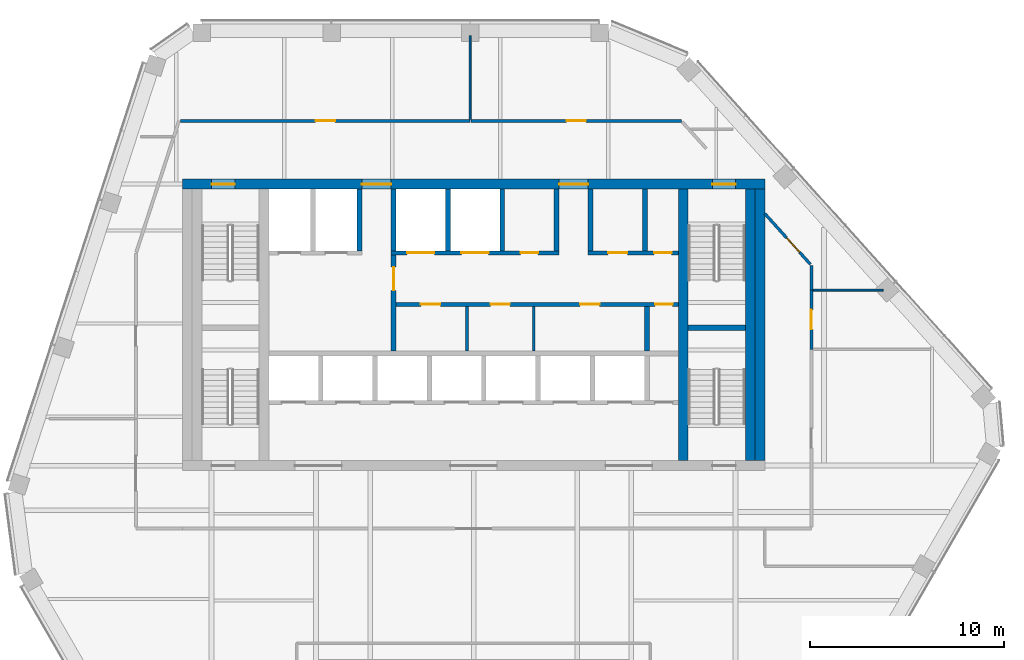
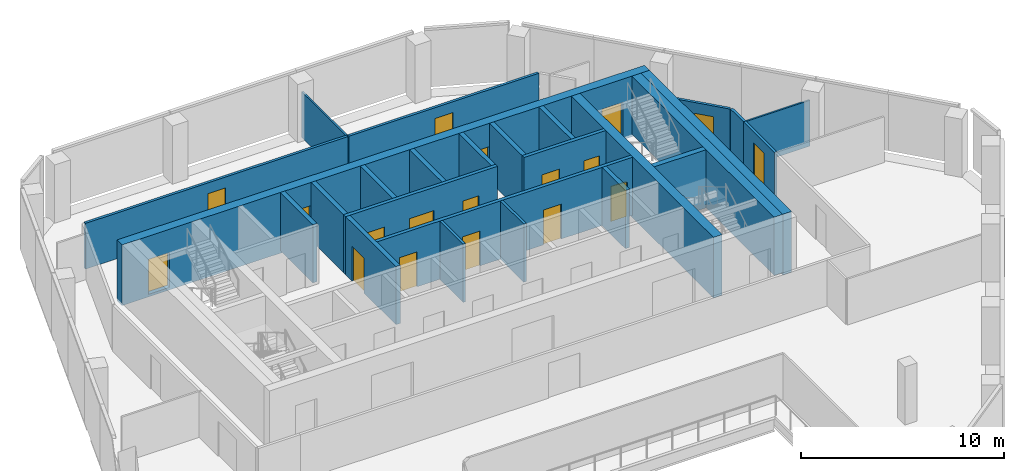
# One storey, part 9 of 15: 26 walls, 18 doors, 18 openings.
"""IFC4 building model written with IfcOpenShell, lengths in metres."""

from ifc_helpers import new_model, si_unit, direction, frame, frame_2d, origin, place, context, subcontext, project, spatial, rectangle, extrude, material, layer, layer_set, type_object, element, fill, save


model = new_model("IFC4")

# Units and contexts
model_context = context("Model", 3, precision=1e-05, world=origin(), true_north=direction((0.0, 1.0)))
body_context = subcontext(model_context, "Body", "Model", "MODEL_VIEW")
ifc_project = project(units=[si_unit("LENGTHUNIT", "METRE"), si_unit("AREAUNIT", "SQUARE_METRE"), si_unit("VOLUMEUNIT", "CUBIC_METRE"), si_unit("PLANEANGLEUNIT", "RADIAN"), si_unit("MASSUNIT", "GRAM", prefix="KILO")], contexts=[model_context])

# Site, building, storey
site_placement = place(None, origin())
site = spatial("IfcSite", under=ifc_project, at=site_placement, CompositionType="ELEMENT")
building_placement = place(site_placement, origin())
building = spatial("IfcBuilding", under=site, at=building_placement, Name="Isthmus Gate Tower", CompositionType="ELEMENT")
storey_placement = place(building_placement, frame((0.0, 0.0, 268.25)))
storey = spatial("IfcBuildingStorey", under=building, at=storey_placement, Name="L68", CompositionType="ELEMENT", Elevation=268.25)

# Wall
ifc_material_1 = material(Name="Gypsum board on steel studs, fire-rated", Category="steel")
ifc_layer_1 = layer(ifc_material_1, 0.14990234375)
ifc_layer_set_1 = layer_set([ifc_layer_1], Name="CORRIDOR WALL 150 60 MIN")
wall_type_1 = type_object("IfcWallType", Name="CORRIDOR WALL 150 60 MIN", PredefinedType="PARTITIONING", material=ifc_layer_set_1)
wall_1_placement = place(storey_placement, frame((17.39990234375, 10.56103515625, 0.0), z_axis=(0.0, 0.0, 1.0), x_axis=(0.0, -1.0, 0.0)))
element("IfcWall", 1, at=wall_1_placement, inside=storey, type_object=wall_type_1, Name="L68 Corridor Wall 150 60 Min", PredefinedType="PARTITIONING", context=body_context, shape_type="SweptSolid", body=[
    extrude(rectangle(XDim=1.27099609375, YDim=0.14990234375, at=frame_2d((0.635498046875, 0.0))), origin(), (0.0, 0.0, 1.0), 2.750732421875),
])

# Wall, opening, door
wall_2_placement = place(storey_placement, frame((17.39990234375, 9.2900390625, 0.0), z_axis=(0.0, 0.0, 1.0), x_axis=(0.0, -1.0, 0.0)))
wall_2 = element("IfcWall", 2, at=wall_2_placement, inside=storey, type_object=wall_type_1, Name="L68 Corridor Wall 150 60 Min", PredefinedType="PARTITIONING", context=body_context, shape_type="SweptSolid", body=[
    extrude(rectangle(XDim=3.052978515625, YDim=0.14990234375, at=frame_2d((1.5263671875, 0.0))), origin(), (0.0, 0.0, 1.0), 2.750732421875),
])
opening_1_placement = place(wall_2_placement, frame((1.026611328125, 0.0, 0.0)))
opening_1 = element("IfcOpeningElement", 3, at=opening_1_placement, cuts=wall_2, Name="Opening DT-T6A-05", PredefinedType="OPENING", context=body_context, shape_type="SweptSolid", body=[
    extrude(rectangle(XDim=1.0, YDim=2.10009765625, at=frame_2d((0.5, 1.050048828125))), frame((0.0, 0.0849609375, 0.0), z_axis=(0.0, -1.0, 0.0), x_axis=(1.0, 0.0, 0.0)), (0.0, 0.0, 1.0), 0.169921875),
])
ifc_material_2 = material(Name="Solid core timber door leaf, fire-rated", Category="wood")
door_type_1 = type_object("IfcDoorType", Name="FIRE DOOR ROOM 1000 X 2100 60 MIN", OperationType="SINGLE_SWING_LEFT", PredefinedType="DOOR", material=ifc_material_2)
door_1_placement = place(opening_1_placement, origin())
door_1 = element("IfcDoor", 4, at=door_1_placement, inside=storey, type_object=door_type_1, Name="L68 room door", OperationType="SINGLE_SWING_RIGHT", OverallHeight=2.10009765625, OverallWidth=1.0, PredefinedType="DOOR", context=body_context, shape_type="SweptSolid", body=[
    extrude(rectangle(XDim=1.0, YDim=2.10009765625, at=frame_2d((0.5, 1.050048828125))), frame((0.0, 0.02490234375, 0.0), z_axis=(0.0, -1.0, 0.0), x_axis=(1.0, 0.0, 0.0)), (0.0, 0.0, 1.0), 0.050048828125),
])
fill(opening_1, door_1)

wall_3_placement = place(storey_placement, frame((-15.10302734375, 18.0, 0.0), z_axis=(0.0, 0.0, 1.0), x_axis=(1.0, 0.0, 0.0)))
wall_3 = element("IfcWall", 5, at=wall_3_placement, inside=storey, type_object=wall_type_1, Name="L68 Corridor Wall 150 60 Min", PredefinedType="PARTITIONING", context=body_context, shape_type="SweptSolid", body=[
    extrude(rectangle(XDim=14.927978515625, YDim=0.14990234375, at=frame_2d((7.4638671875, 0.0))), origin(), (0.0, 0.0, 1.0), 2.750732421875),
])
opening_2_placement = place(wall_3_placement, frame((6.964111328125, 0.0, 0.0)))
opening_2 = element("IfcOpeningElement", 6, at=opening_2_placement, cuts=wall_3, Name="Opening DT-T6A-01", PredefinedType="OPENING", context=body_context, shape_type="SweptSolid", body=[
    extrude(rectangle(XDim=1.0, YDim=2.10009765625, at=frame_2d((0.5, 1.050048828125))), frame((0.0, 0.0849609375, 0.0), z_axis=(0.0, -1.0, 0.0), x_axis=(1.0, 0.0, 0.0)), (0.0, 0.0, 1.0), 0.169921875),
])
door_2_placement = place(opening_2_placement, origin())
door_2 = element("IfcDoor", 7, at=door_2_placement, inside=storey, type_object=door_type_1, Name="L68 room door", OperationType="SINGLE_SWING_RIGHT", OverallHeight=2.10009765625, OverallWidth=1.0, PredefinedType="DOOR", context=body_context, shape_type="SweptSolid", body=[
    extrude(rectangle(XDim=1.0, YDim=2.10009765625, at=frame_2d((0.5, 1.050048828125))), frame((0.0, 0.02490234375, 0.0), z_axis=(0.0, -1.0, 0.0), x_axis=(1.0, 0.0, 0.0)), (0.0, 0.0, 1.0), 0.050048828125),
])
fill(opening_2, door_2)

wall_4_placement = place(storey_placement, frame((-0.125, 18.0, 0.0), z_axis=(0.0, 0.0, 1.0), x_axis=(1.0, 0.0, 0.0)))
wall_4 = element("IfcWall", 8, at=wall_4_placement, inside=storey, type_object=wall_type_1, Name="L68 Corridor Wall 150 60 Min", PredefinedType="PARTITIONING", context=body_context, shape_type="SweptSolid", body=[
    extrude(rectangle(XDim=10.826904296875, YDim=0.14990234375, at=frame_2d((5.41357421875, 0.0))), origin(), (0.0, 0.0, 1.0), 2.750732421875),
])
opening_3_placement = place(wall_4_placement, frame((4.91357421875, 0.0, 0.0)))
opening_3 = element("IfcOpeningElement", 9, at=opening_3_placement, cuts=wall_4, Name="Opening DT-T6A-02", PredefinedType="OPENING", context=body_context, shape_type="SweptSolid", body=[
    extrude(rectangle(XDim=1.0, YDim=2.10009765625, at=frame_2d((0.5, 1.050048828125))), frame((0.0, 0.0849609375, 0.0), z_axis=(0.0, -1.0, 0.0), x_axis=(1.0, 0.0, 0.0)), (0.0, 0.0, 1.0), 0.169921875),
])
door_3_placement = place(opening_3_placement, origin())
door_3 = element("IfcDoor", 10, at=door_3_placement, inside=storey, type_object=door_type_1, Name="L68 room door", OperationType="SINGLE_SWING_RIGHT", OverallHeight=2.10009765625, OverallWidth=1.0, PredefinedType="DOOR", context=body_context, shape_type="SweptSolid", body=[
    extrude(rectangle(XDim=1.0, YDim=2.10009765625, at=frame_2d((0.5, 1.050048828125))), frame((0.0, 0.02490234375, 0.0), z_axis=(0.0, -1.0, 0.0), x_axis=(1.0, 0.0, 0.0)), (0.0, 0.0, 1.0), 0.050048828125),
])
fill(opening_3, door_3)

wall_5_placement = place(storey_placement, frame((15.0, 13.22607421875, 0.0), z_axis=(0.0, 0.0, 1.0), x_axis=(0.669187491984, -0.743093601488, 0.0)))
wall_5 = element("IfcWall", 11, at=wall_5_placement, inside=storey, type_object=wall_type_1, Name="L68 Corridor Wall 150 60 Min", PredefinedType="PARTITIONING", context=body_context, shape_type="SweptSolid", body=[
    extrude(rectangle(XDim=3.511474609375, YDim=0.14990234375, at=frame_2d((1.755859375, 0.0))), origin(), (0.0, 0.0, 1.0), 2.750732421875),
])
opening_4_placement = place(wall_5_placement, frame((1.677001953125, 0.0, 0.0)))
opening_4 = element("IfcOpeningElement", 12, at=opening_4_placement, cuts=wall_5, Name="Opening DT-T6A-03", PredefinedType="OPENING", context=body_context, shape_type="SweptSolid", body=[
    extrude(rectangle(XDim=1.0, YDim=2.10009765625, at=frame_2d((0.5, 1.050048828125))), frame((0.0, 0.0849609375, 0.0), z_axis=(0.0, -1.0, 0.0), x_axis=(1.0, 0.0, 0.0)), (0.0, 0.0, 1.0), 0.169921875),
])
door_4_placement = place(opening_4_placement, origin())
door_4 = element("IfcDoor", 13, at=door_4_placement, inside=storey, type_object=door_type_1, Name="L68 room door", OperationType="SINGLE_SWING_RIGHT", OverallHeight=2.10009765625, OverallWidth=1.0, PredefinedType="DOOR", context=body_context, shape_type="SweptSolid", body=[
    extrude(rectangle(XDim=1.0, YDim=2.10009765625, at=frame_2d((0.5, 1.050048828125))), frame((0.0, 0.02490234375, 0.0), z_axis=(0.0, -1.0, 0.0), x_axis=(1.0, 0.0, 0.0)), (0.0, 0.0, 1.0), 0.050048828125),
])
fill(opening_4, door_4)

ifc_material_3 = material(Name="Fire-rated blockwork masonry, 15 MPa", Category="masonry")
ifc_layer_2 = layer(ifc_material_3, 0.25)
ifc_layer_set_2 = layer_set([ifc_layer_2], Name="FIRE-FIGHTING LOBBY WALL 250 90 MIN")
wall_type_2 = type_object("IfcWallType", Name="FIRE-FIGHTING LOBBY WALL 250 90 MIN", PredefinedType="PARTITIONING", material=ifc_layer_set_2)
wall_6_placement = place(storey_placement, frame((-4.125, 6.14990234375, 0.0), z_axis=(0.0, 0.0, 1.0), x_axis=(0.0, 1.0, 0.0)))
wall_6 = element("IfcWall", 14, at=wall_6_placement, inside=storey, type_object=wall_type_2, Name="L68 FIRE-FIGHTING LOBBY WALL 250 90 MIN", PredefinedType="PARTITIONING", context=body_context, shape_type="SweptSolid", body=[
    extrude(rectangle(XDim=4.9501953125, YDim=0.25, at=frame_2d((2.47509765625, 0.0))), origin(), (0.0, 0.0, 1.0), 3.5),
])
opening_5_placement = place(wall_6_placement, frame((3.125, 0.0, 0.0)))
opening_5 = element("IfcOpeningElement", 15, at=opening_5_placement, cuts=wall_6, Name="Opening DC-A18-01", PredefinedType="OPENING", context=body_context, shape_type="SweptSolid", body=[
    extrude(rectangle(XDim=1.199951171875, YDim=2.10009765625, at=frame_2d((0.60009765625, 1.050048828125))), frame((0.0, 0.135009765625, 0.0), z_axis=(0.0, -1.0, 0.0), x_axis=(1.0, 0.0, 0.0)), (0.0, 0.0, 1.0), 0.27001953125),
])
ifc_material_4 = material(Name="Steel door leaf, fire-rated", Category="steel")
door_type_2 = type_object("IfcDoorType", Name="LOBBY FIRE DOOR 1200 X 2100 90 MIN", OperationType="DOUBLE_DOOR_SINGLE_SWING", PredefinedType="DOOR", material=ifc_material_4)
door_5_placement = place(opening_5_placement, origin())
door_5 = element("IfcDoor", 16, at=door_5_placement, inside=storey, type_object=door_type_2, Name="Fire-fighting Lobby Door", OperationType="SINGLE_SWING_LEFT", OverallHeight=2.10009765625, OverallWidth=1.199951171875, PredefinedType="DOOR", context=body_context, shape_type="SweptSolid", body=[
    extrude(rectangle(XDim=1.199951171875, YDim=2.10009765625, at=frame_2d((0.60009765625, 1.050048828125))), frame((0.0, 0.02490234375, 0.0), z_axis=(0.0, -1.0, 0.0), x_axis=(1.0, 0.0, 0.0)), (0.0, 0.0, 1.0), 0.050048828125),
])
fill(opening_5, door_5)

# Wall
ifc_material_5 = material(Name="Concrete f'c 50 MPa", Category="concrete")
ifc_layer_3 = layer(ifc_material_5, 0.5)
ifc_layer_set_3 = layer_set([ifc_layer_3], Name="RC CORE SPINE WALL 500 F'C 50")
wall_type_3 = type_object("IfcWallType", Name="RC CORE SPINE WALL 500 F'C 50", PredefinedType="SOLIDWALL", material=ifc_layer_set_3)
wall_7_placement = place(storey_placement, frame((10.800048828125, 0.5, -0.14990234375), z_axis=(0.0, 0.0, 1.0), x_axis=(0.0, 1.0, 0.0)))
element("IfcWall", 17, at=wall_7_placement, inside=storey, type_object=wall_type_3, Name="str-corewall-L68-SPE", PredefinedType="SOLIDWALL", context=body_context, shape_type="SweptSolid", body=[
    extrude(rectangle(XDim=14.0, YDim=0.5, at=frame_2d((7.0, 0.0))), origin(), (0.0, 0.0, 1.0), 3.64990234375),
])

# Wall, openings, doors
ifc_material_6 = material(Name="Concrete f'c 50 MPa", Category="concrete")
ifc_layer_4 = layer(ifc_material_6, 0.5)
ifc_layer_set_4 = layer_set([ifc_layer_4], Name="RC CORE WALL 500 F'C 50")
wall_type_4 = type_object("IfcWallType", Name="RC CORE WALL 500 F'C 50", PredefinedType="SOLIDWALL", material=ifc_layer_set_4)
wall_8_placement = place(storey_placement, frame((-15.0, 14.75, -0.14990234375), z_axis=(0.0, 0.0, 1.0), x_axis=(1.0, 0.0, 0.0)))
wall_8 = element("IfcWall", 18, at=wall_8_placement, inside=storey, type_object=wall_type_4, Name="str-corewall-L68-N", PredefinedType="SOLIDWALL", context=body_context, shape_type="SweptSolid", body=[
    extrude(rectangle(XDim=30.0, YDim=0.5, at=frame_2d((15.0, 0.0))), origin(), (0.0, 0.0, 1.0), 3.64990234375),
])
opening_6_placement = place(wall_8_placement, frame((9.25, 0.0, 0.14990234375)))
opening_6 = element("IfcOpeningElement", 19, at=opening_6_placement, cuts=wall_8, Name="Opening DC-A18-13", PredefinedType="OPENING", context=body_context, shape_type="SweptSolid", body=[
    extrude(rectangle(XDim=1.5, YDim=2.10009765625, at=frame_2d((0.75, 1.050048828125))), frame((0.0, 0.260009765625, 0.0), z_axis=(0.0, -1.0, 0.0), x_axis=(1.0, 0.0, 0.0)), (0.0, 0.0, 1.0), 0.52001953125),
])
opening_7_placement = place(wall_8_placement, frame((19.39990234375, 0.0, 0.14990234375)))
opening_7 = element("IfcOpeningElement", 20, at=opening_7_placement, cuts=wall_8, Name="Opening DC-A18-14", PredefinedType="OPENING", context=body_context, shape_type="SweptSolid", body=[
    extrude(rectangle(XDim=1.5, YDim=2.10009765625, at=frame_2d((0.75, 1.050048828125))), frame((0.0, 0.260009765625, 0.0), z_axis=(0.0, -1.0, 0.0), x_axis=(1.0, 0.0, 0.0)), (0.0, 0.0, 1.0), 0.52001953125),
])
opening_8_placement = place(wall_8_placement, frame((1.5, 0.0, 0.14990234375)))
opening_8 = element("IfcOpeningElement", 21, at=opening_8_placement, cuts=wall_8, Name="Opening DC-A18-15", PredefinedType="OPENING", context=body_context, shape_type="SweptSolid", body=[
    extrude(rectangle(XDim=1.199951171875, YDim=2.10009765625, at=frame_2d((0.60009765625, 1.050048828125))), frame((0.0, 0.260009765625, 0.0), z_axis=(0.0, -1.0, 0.0), x_axis=(1.0, 0.0, 0.0)), (0.0, 0.0, 1.0), 0.52001953125),
])
opening_9_placement = place(wall_8_placement, frame((27.300048828125, 0.0, 0.14990234375)))
opening_9 = element("IfcOpeningElement", 22, at=opening_9_placement, cuts=wall_8, Name="Opening DC-A18-16", PredefinedType="OPENING", context=body_context, shape_type="SweptSolid", body=[
    extrude(rectangle(XDim=1.199951171875, YDim=2.10009765625, at=frame_2d((0.60009765625, 1.050048828125))), frame((0.0, 0.260009765625, 0.0), z_axis=(0.0, -1.0, 0.0), x_axis=(1.0, 0.0, 0.0)), (0.0, 0.0, 1.0), 0.52001953125),
])
ifc_material_7 = material(Name="Steel door leaf, fire-rated", Category="steel")
door_type_3 = type_object("IfcDoorType", Name="LOBBY FIRE DOOR 1500 X 2100 60 MIN", OperationType="DOUBLE_DOOR_SINGLE_SWING", PredefinedType="DOOR", material=ifc_material_7)
door_6_placement = place(opening_7_placement, origin())
door_6 = element("IfcDoor", 23, at=door_6_placement, inside=storey, type_object=door_type_3, Name="Lobby Door PN-E", OperationType="DOUBLE_DOOR_SINGLE_SWING", OverallHeight=2.10009765625, OverallWidth=1.5, PredefinedType="DOOR", context=body_context, shape_type="SweptSolid", body=[
    extrude(rectangle(XDim=1.5, YDim=2.10009765625, at=frame_2d((0.75, 1.050048828125))), frame((0.0, 0.02490234375, 0.0), z_axis=(0.0, -1.0, 0.0), x_axis=(1.0, 0.0, 0.0)), (0.0, 0.0, 1.0), 0.050048828125),
])
fill(opening_7, door_6)
ifc_material_8 = material(Name="Steel door leaf, fire-rated", Category="steel")
door_type_4 = type_object("IfcDoorType", Name="LOBBY FIRE DOOR 1500 X 2100 90 MIN", OperationType="DOUBLE_DOOR_SINGLE_SWING", PredefinedType="DOOR", material=ifc_material_8)
door_7_placement = place(opening_6_placement, origin())
door_7 = element("IfcDoor", 24, at=door_7_placement, inside=storey, type_object=door_type_4, Name="Lobby Door PN-W", OperationType="DOUBLE_DOOR_SINGLE_SWING", OverallHeight=2.10009765625, OverallWidth=1.5, PredefinedType="DOOR", context=body_context, shape_type="SweptSolid", body=[
    extrude(rectangle(XDim=1.5, YDim=2.10009765625, at=frame_2d((0.75, 1.050048828125))), frame((0.0, 0.02490234375, 0.0), z_axis=(0.0, -1.0, 0.0), x_axis=(1.0, 0.0, 0.0)), (0.0, 0.0, 1.0), 0.050048828125),
])
fill(opening_6, door_7)
ifc_material_9 = material(Name="Steel door leaf, fire-rated", Category="steel")
door_type_5 = type_object("IfcDoorType", Name="STAIR FIRE DOOR 1200 X 2100 90 MIN", OperationType="SINGLE_SWING_LEFT", PredefinedType="DOOR", material=ifc_material_9)
door_8_placement = place(opening_8_placement, origin())
door_8 = element("IfcDoor", 25, at=door_8_placement, inside=storey, type_object=door_type_5, Name="Exit Stair 1 Door", OperationType="SINGLE_SWING_RIGHT", OverallHeight=2.10009765625, OverallWidth=1.199951171875, PredefinedType="DOOR", context=body_context, shape_type="SweptSolid", body=[
    extrude(rectangle(XDim=1.199951171875, YDim=2.10009765625, at=frame_2d((0.60009765625, 1.050048828125))), frame((0.0, 0.02490234375, 0.0), z_axis=(0.0, -1.0, 0.0), x_axis=(1.0, 0.0, 0.0)), (0.0, 0.0, 1.0), 0.050048828125),
])
fill(opening_8, door_8)
door_9_placement = place(opening_9_placement, origin())
door_9 = element("IfcDoor", 26, at=door_9_placement, inside=storey, type_object=door_type_5, Name="Exit Stair 2 Door", OperationType="SINGLE_SWING_LEFT", OverallHeight=2.10009765625, OverallWidth=1.199951171875, PredefinedType="DOOR", context=body_context, shape_type="SweptSolid", body=[
    extrude(rectangle(XDim=1.199951171875, YDim=2.10009765625, at=frame_2d((0.60009765625, 1.050048828125))), frame((0.0, 0.02490234375, 0.0), z_axis=(0.0, -1.0, 0.0), x_axis=(1.0, 0.0, 0.0)), (0.0, 0.0, 1.0), 0.050048828125),
])
fill(opening_9, door_9)

# Walls
wall_9_placement = place(storey_placement, frame((14.75, 0.5, -0.14990234375), z_axis=(0.0, 0.0, 1.0), x_axis=(0.0, 1.0, 0.0)))
element("IfcWall", 27, at=wall_9_placement, inside=storey, type_object=wall_type_4, Name="str-corewall-L68-E", PredefinedType="SOLIDWALL", context=body_context, shape_type="SweptSolid", body=[
    extrude(rectangle(XDim=14.0, YDim=0.5, at=frame_2d((7.0, 0.0))), origin(), (0.0, 0.0, 1.0), 3.64990234375),
])
ifc_material_10 = material(Name="Gypsum board on steel studs, fire-rated", Category="steel")
ifc_layer_5 = layer(ifc_material_10, 0.10009765625)
ifc_layer_set_5 = layer_set([ifc_layer_5], Name="ROOM PARTITION 100 30 MIN")
wall_type_5 = type_object("IfcWallType", Name="ROOM PARTITION 100 30 MIN", PredefinedType="PARTITIONING", material=ifc_layer_set_5)
wall_10_placement = place(storey_placement, frame((-0.175048828125, 18.074951171875, 0.0), z_axis=(0.0, 0.0, 1.0), x_axis=(0.0, 1.0, 0.0)))
element("IfcWall", 28, at=wall_10_placement, inside=storey, type_object=wall_type_5, Name="L68 Room Partition 100 30 Min", PredefinedType="PARTITIONING", context=body_context, shape_type="SweptSolid", body=[
    extrude(rectangle(XDim=4.324951171875, YDim=0.10009765625, at=frame_2d((2.16259765625, 0.0))), origin(), (0.0, 0.0, 1.0), 2.750732421875),
])
wall_11_placement = place(storey_placement, frame((17.47509765625, 9.2900390625, 0.0), z_axis=(0.0, 0.0, 1.0), x_axis=(1.0, 0.0, 0.0)))
element("IfcWall", 29, at=wall_11_placement, inside=storey, type_object=wall_type_5, Name="L68 Room Partition 100 30 Min", PredefinedType="PARTITIONING", context=body_context, shape_type="SweptSolid", body=[
    extrude(rectangle(XDim=3.6259765625, YDim=0.10009765625, at=frame_2d((1.81298828125, 0.0))), origin(), (0.0, 0.0, 1.0), 2.750732421875),
])
ifc_material_11 = material(Name="Gypsum board on steel studs, fire-rated", Category="steel")
ifc_layer_6 = layer(ifc_material_11, 0.14990234375)
ifc_layer_set_6 = layer_set([ifc_layer_6], Name="ROOM PARTITION 150 60 MIN")
wall_type_6 = type_object("IfcWallType", Name="ROOM PARTITION 150 60 MIN", PredefinedType="PARTITIONING", material=ifc_layer_set_6)
for number, where, z_axis, x_axis, name in (
    (30, (-0.35009765625, 6.14990234375, 0.0), (0.0, 0.0, 1.0), (0.0, 1.0, 0.0), "L68 ROOM PARTITION 150 60 MIN"),
    (31, (3.10009765625, 6.14990234375, 0.0), (0.0, 0.0, 1.0), (0.0, 1.0, 0.0), "L68 ROOM PARTITION 150 60 MIN"),
):
    element("IfcWall", number, at=place(storey_placement, frame(where, z_axis=z_axis, x_axis=x_axis)), inside=storey, type_object=wall_type_6, Name=name, PredefinedType="PARTITIONING", context=body_context, shape_type="SweptSolid", body=[
        extrude(rectangle(XDim=2.300048828125, YDim=0.14990234375, at=frame_2d((1.14990234375, 0.0))), origin(), (0.0, 0.0, 1.0), 3.5),
    ])

# Wall, openings, doors
ifc_material_12 = material(Name="Fire-rated blockwork masonry, 15 MPa", Category="masonry")
ifc_layer_7 = layer(ifc_material_12, 0.199951171875)
ifc_layer_set_7 = layer_set([ifc_layer_7], Name="SHAFT FRONT WALL 200 120 MIN")
wall_type_7 = type_object("IfcWallType", Name="SHAFT FRONT WALL 200 120 MIN", PredefinedType="PARTITIONING", material=ifc_layer_set_7)
wall_12_placement = place(storey_placement, frame((-4.125, 8.550048828125, 0.0), z_axis=(0.0, 0.0, 1.0), x_axis=(1.0, 0.0, 0.0)))
wall_12 = element("IfcWall", 32, at=wall_12_placement, inside=storey, type_object=wall_type_7, Name="L68 SHAFT FRONT WALL 200 120 MIN", PredefinedType="PARTITIONING", context=body_context, shape_type="SweptSolid", body=[
    extrude(rectangle(XDim=14.675048828125, YDim=0.199951171875, at=frame_2d((7.33740234375, 0.0))), origin(), (0.0, 0.0, 1.0), 3.5),
])
opening_10_placement = place(wall_12_placement, frame((1.41259765625, 0.0, 0.0)))
opening_10 = element("IfcOpeningElement", 33, at=opening_10_placement, cuts=wall_12, Name="Opening DC-A18-03", PredefinedType="OPENING", context=body_context, shape_type="SweptSolid", body=[
    extrude(rectangle(XDim=1.0, YDim=2.10009765625, at=frame_2d((0.5, 1.050048828125))), frame((0.0, 0.10986328125, 0.0), z_axis=(0.0, -1.0, 0.0), x_axis=(1.0, 0.0, 0.0)), (0.0, 0.0, 1.0), 0.219970703125),
])
opening_11_placement = place(wall_12_placement, frame((5.0, 0.0, 0.0)))
opening_11 = element("IfcOpeningElement", 34, at=opening_11_placement, cuts=wall_12, Name="Opening DC-A18-04", PredefinedType="OPENING", context=body_context, shape_type="SweptSolid", body=[
    extrude(rectangle(XDim=1.0, YDim=2.10009765625, at=frame_2d((0.5, 1.050048828125))), frame((0.0, 0.10986328125, 0.0), z_axis=(0.0, -1.0, 0.0), x_axis=(1.0, 0.0, 0.0)), (0.0, 0.0, 1.0), 0.219970703125),
])
opening_12_placement = place(wall_12_placement, frame((9.612548828125, 0.0, 0.0)))
opening_12 = element("IfcOpeningElement", 35, at=opening_12_placement, cuts=wall_12, Name="Opening DC-A18-05", PredefinedType="OPENING", context=body_context, shape_type="SweptSolid", body=[
    extrude(rectangle(XDim=1.0, YDim=2.10009765625, at=frame_2d((0.5, 1.050048828125))), frame((0.0, 0.10986328125, 0.0), z_axis=(0.0, -1.0, 0.0), x_axis=(1.0, 0.0, 0.0)), (0.0, 0.0, 1.0), 0.219970703125),
])
opening_13_placement = place(wall_12_placement, frame((13.47509765625, 0.0, 0.0)))
opening_13 = element("IfcOpeningElement", 36, at=opening_13_placement, cuts=wall_12, Name="Opening DC-A18-06", PredefinedType="OPENING", context=body_context, shape_type="SweptSolid", body=[
    extrude(rectangle(XDim=0.89990234375, YDim=2.10009765625, at=frame_2d((0.449951171875, 1.050048828125))), frame((0.0, 0.10986328125, 0.0), z_axis=(0.0, -1.0, 0.0), x_axis=(1.0, 0.0, 0.0)), (0.0, 0.0, 1.0), 0.219970703125),
])
ifc_material_13 = material(Name="Steel door leaf, fire-rated", Category="steel")
door_type_6 = type_object("IfcDoorType", Name="FIRE DOOR 1000 X 2100 60 MIN", OperationType="SINGLE_SWING_LEFT", PredefinedType="DOOR", material=ifc_material_13)
door_10_placement = place(opening_10_placement, origin())
door_10 = element("IfcDoor", 37, at=door_10_placement, inside=storey, type_object=door_type_6, Name="WC Women Door", OperationType="SINGLE_SWING_LEFT", OverallHeight=2.10009765625, OverallWidth=1.0, PredefinedType="DOOR", context=body_context, shape_type="SweptSolid", body=[
    extrude(rectangle(XDim=1.0, YDim=2.10009765625, at=frame_2d((0.5, 1.050048828125))), frame((0.0, 0.02490234375, 0.0), z_axis=(0.0, -1.0, 0.0), x_axis=(1.0, 0.0, 0.0)), (0.0, 0.0, 1.0), 0.050048828125),
])
fill(opening_10, door_10)
door_11_placement = place(opening_11_placement, origin())
door_11 = element("IfcDoor", 38, at=door_11_placement, inside=storey, type_object=door_type_6, Name="WC Men Door", OperationType="SINGLE_SWING_RIGHT", OverallHeight=2.10009765625, OverallWidth=1.0, PredefinedType="DOOR", context=body_context, shape_type="SweptSolid", body=[
    extrude(rectangle(XDim=1.0, YDim=2.10009765625, at=frame_2d((0.5, 1.050048828125))), frame((0.0, 0.02490234375, 0.0), z_axis=(0.0, -1.0, 0.0), x_axis=(1.0, 0.0, 0.0)), (0.0, 0.0, 1.0), 0.050048828125),
])
fill(opening_11, door_11)
door_12_placement = place(opening_12_placement, origin())
door_12 = element("IfcDoor", 39, at=door_12_placement, inside=storey, type_object=door_type_6, Name="Accessible WC Door", OperationType="SINGLE_SWING_LEFT", OverallHeight=2.10009765625, OverallWidth=1.0, PredefinedType="DOOR", context=body_context, shape_type="SweptSolid", body=[
    extrude(rectangle(XDim=1.0, YDim=2.10009765625, at=frame_2d((0.5, 1.050048828125))), frame((0.0, 0.02490234375, 0.0), z_axis=(0.0, -1.0, 0.0), x_axis=(1.0, 0.0, 0.0)), (0.0, 0.0, 1.0), 0.050048828125),
])
fill(opening_12, door_12)
ifc_material_14 = material(Name="Steel door leaf, fire-rated", Category="steel")
door_type_7 = type_object("IfcDoorType", Name="RISER FIRE DOOR 900 X 2100 90 MIN", OperationType="SINGLE_SWING_LEFT", PredefinedType="DOOR", material=ifc_material_14)
door_13_placement = place(opening_13_placement, origin())
door_13 = element("IfcDoor", 40, at=door_13_placement, inside=storey, type_object=door_type_7, Name="Riser Door", OperationType="SINGLE_SWING_RIGHT", OverallHeight=2.10009765625, OverallWidth=0.89990234375, PredefinedType="DOOR", context=body_context, shape_type="SweptSolid", body=[
    extrude(rectangle(XDim=0.89990234375, YDim=2.10009765625, at=frame_2d((0.449951171875, 1.050048828125))), frame((0.0, 0.02490234375, 0.0), z_axis=(0.0, -1.0, 0.0), x_axis=(1.0, 0.0, 0.0)), (0.0, 0.0, 1.0), 0.050048828125),
])
fill(opening_13, door_13)

wall_13_placement = place(storey_placement, frame((-4.25, 11.199951171875, 0.0), z_axis=(0.0, 0.0, 1.0), x_axis=(1.0, 0.0, 0.0)))
wall_13 = element("IfcWall", 41, at=wall_13_placement, inside=storey, type_object=wall_type_7, Name="L68 SHAFT FRONT WALL 200 120 MIN", PredefinedType="PARTITIONING", context=body_context, shape_type="SweptSolid", body=[
    extrude(rectangle(XDim=8.64990234375, YDim=0.199951171875, at=frame_2d((4.324951171875, 0.0))), origin(), (0.0, 0.0, 1.0), 3.5),
])
opening_14_placement = place(wall_13_placement, frame((0.824951171875, 0.0, 0.0)))
opening_14 = element("IfcOpeningElement", 42, at=opening_14_placement, cuts=wall_13, Name="Opening LD-LV1", PredefinedType="OPENING", context=body_context, shape_type="SweptSolid", body=[
    extrude(rectangle(XDim=1.39990234375, YDim=2.10009765625, at=frame_2d((0.699951171875, 1.050048828125))), frame((0.0, 0.10986328125, 0.0), z_axis=(0.0, -1.0, 0.0), x_axis=(1.0, 0.0, 0.0)), (0.0, 0.0, 1.0), 0.219970703125),
])
opening_15_placement = place(wall_13_placement, frame((3.625, 0.0, 0.0)))
opening_15 = element("IfcOpeningElement", 43, at=opening_15_placement, cuts=wall_13, Name="Opening LD-LV2", PredefinedType="OPENING", context=body_context, shape_type="SweptSolid", body=[
    extrude(rectangle(XDim=1.39990234375, YDim=2.10009765625, at=frame_2d((0.699951171875, 1.050048828125))), frame((0.0, 0.10986328125, 0.0), z_axis=(0.0, -1.0, 0.0), x_axis=(1.0, 0.0, 0.0)), (0.0, 0.0, 1.0), 0.219970703125),
])
opening_16_placement = place(wall_13_placement, frame((6.675048828125, 0.0, 0.0)))
opening_16 = element("IfcOpeningElement", 44, at=opening_16_placement, cuts=wall_13, Name="Opening DC-A18-07", PredefinedType="OPENING", context=body_context, shape_type="SweptSolid", body=[
    extrude(rectangle(XDim=0.89990234375, YDim=2.10009765625, at=frame_2d((0.449951171875, 1.050048828125))), frame((0.0, 0.10986328125, 0.0), z_axis=(0.0, -1.0, 0.0), x_axis=(1.0, 0.0, 0.0)), (0.0, 0.0, 1.0), 0.219970703125),
])
ifc_material_15 = material(Name="Steel door leaf, fire-rated", Category="steel")
door_type_8 = type_object("IfcDoorType", Name="FIRE DOOR 900 X 2100 60 MIN", OperationType="SINGLE_SWING_LEFT", PredefinedType="DOOR", material=ifc_material_15)
door_14_placement = place(opening_16_placement, origin())
door_14 = element("IfcDoor", 45, at=door_14_placement, inside=storey, type_object=door_type_8, Name="Cleaner Store Door", OperationType="SINGLE_SWING_LEFT", OverallHeight=2.10009765625, OverallWidth=0.89990234375, PredefinedType="DOOR", context=body_context, shape_type="SweptSolid", body=[
    extrude(rectangle(XDim=0.89990234375, YDim=2.10009765625, at=frame_2d((0.449951171875, 1.050048828125))), frame((0.0, 0.02490234375, 0.0), z_axis=(0.0, -1.0, 0.0), x_axis=(1.0, 0.0, 0.0)), (0.0, 0.0, 1.0), 0.050048828125),
])
fill(opening_16, door_14)
ifc_material_16 = material(Name="Stainless steel sliding leaf", Category="steel")
door_type_9 = type_object("IfcDoorType", Name="LIFT LANDING FIRE DOOR 1400 X 2100 90 MIN", OperationType="DOUBLE_DOOR_SLIDING", PredefinedType="DOOR", material=ifc_material_16)
door_15_placement = place(opening_14_placement, origin())
door_15 = element("IfcDoor", 46, at=door_15_placement, inside=storey, type_object=door_type_9, Name="Lift Landing Door LV1", OperationType="DOUBLE_DOOR_SLIDING", OverallHeight=2.10009765625, OverallWidth=1.39990234375, PredefinedType="DOOR", context=body_context, shape_type="SweptSolid", body=[
    extrude(rectangle(XDim=1.39990234375, YDim=2.10009765625, at=frame_2d((0.699951171875, 1.050048828125))), frame((0.0, 0.02490234375, 0.0), z_axis=(0.0, -1.0, 0.0), x_axis=(1.0, 0.0, 0.0)), (0.0, 0.0, 1.0), 0.050048828125),
])
fill(opening_14, door_15)
door_16_placement = place(opening_15_placement, origin())
door_16 = element("IfcDoor", 47, at=door_16_placement, inside=storey, type_object=door_type_9, Name="Lift Landing Door LV2", OperationType="DOUBLE_DOOR_SLIDING", OverallHeight=2.10009765625, OverallWidth=1.39990234375, PredefinedType="DOOR", context=body_context, shape_type="SweptSolid", body=[
    extrude(rectangle(XDim=1.39990234375, YDim=2.10009765625, at=frame_2d((0.699951171875, 1.050048828125))), frame((0.0, 0.02490234375, 0.0), z_axis=(0.0, -1.0, 0.0), x_axis=(1.0, 0.0, 0.0)), (0.0, 0.0, 1.0), 0.050048828125),
])
fill(opening_15, door_16)

wall_14_placement = place(storey_placement, frame((5.89990234375, 11.199951171875, 0.0), z_axis=(0.0, 0.0, 1.0), x_axis=(1.0, 0.0, 0.0)))
wall_14 = element("IfcWall", 48, at=wall_14_placement, inside=storey, type_object=wall_type_7, Name="L68 SHAFT FRONT WALL 200 120 MIN", PredefinedType="PARTITIONING", context=body_context, shape_type="SweptSolid", body=[
    extrude(rectangle(XDim=4.650146484375, YDim=0.199951171875, at=frame_2d((2.3251953125, 0.0))), origin(), (0.0, 0.0, 1.0), 3.5),
])
opening_17_placement = place(wall_14_placement, frame((1.02490234375, 0.0, 0.0)))
opening_17 = element("IfcOpeningElement", 49, at=opening_17_placement, cuts=wall_14, Name="Opening DC-A18-08", PredefinedType="OPENING", context=body_context, shape_type="SweptSolid", body=[
    extrude(rectangle(XDim=1.0, YDim=2.10009765625, at=frame_2d((0.5, 1.050048828125))), frame((0.0, 0.10986328125, 0.0), z_axis=(0.0, -1.0, 0.0), x_axis=(1.0, 0.0, 0.0)), (0.0, 0.0, 1.0), 0.219970703125),
])
opening_18_placement = place(wall_14_placement, frame((3.39990234375, 0.0, 0.0)))
opening_18 = element("IfcOpeningElement", 50, at=opening_18_placement, cuts=wall_14, Name="Opening DC-A18-09", PredefinedType="OPENING", context=body_context, shape_type="SweptSolid", body=[
    extrude(rectangle(XDim=0.89990234375, YDim=2.10009765625, at=frame_2d((0.449951171875, 1.050048828125))), frame((0.0, 0.10986328125, 0.0), z_axis=(0.0, -1.0, 0.0), x_axis=(1.0, 0.0, 0.0)), (0.0, 0.0, 1.0), 0.219970703125),
])
door_17_placement = place(opening_17_placement, origin())
door_17 = element("IfcDoor", 51, at=door_17_placement, inside=storey, type_object=door_type_6, Name="Pantry Door", OperationType="SINGLE_SWING_RIGHT", OverallHeight=2.10009765625, OverallWidth=1.0, PredefinedType="DOOR", context=body_context, shape_type="SweptSolid", body=[
    extrude(rectangle(XDim=1.0, YDim=2.10009765625, at=frame_2d((0.5, 1.050048828125))), frame((0.0, 0.02490234375, 0.0), z_axis=(0.0, -1.0, 0.0), x_axis=(1.0, 0.0, 0.0)), (0.0, 0.0, 1.0), 0.050048828125),
])
fill(opening_17, door_17)
door_18_placement = place(opening_18_placement, origin())
door_18 = element("IfcDoor", 52, at=door_18_placement, inside=storey, type_object=door_type_7, Name="Riser Door", OperationType="SINGLE_SWING_LEFT", OverallHeight=2.10009765625, OverallWidth=0.89990234375, PredefinedType="DOOR", context=body_context, shape_type="SweptSolid", body=[
    extrude(rectangle(XDim=0.89990234375, YDim=2.10009765625, at=frame_2d((0.449951171875, 1.050048828125))), frame((0.0, 0.02490234375, 0.0), z_axis=(0.0, -1.0, 0.0), x_axis=(1.0, 0.0, 0.0)), (0.0, 0.0, 1.0), 0.050048828125),
])
fill(opening_18, door_18)

# Walls
ifc_material_17 = material(Name="Fire-rated blockwork masonry, 15 MPa", Category="masonry")
ifc_layer_8 = layer(ifc_material_17, 0.25)
ifc_layer_set_8 = layer_set([ifc_layer_8], Name="SHAFT WALL 250 120 MIN")
wall_type_8 = type_object("IfcWallType", Name="SHAFT WALL 250 120 MIN", PredefinedType="PARTITIONING", material=ifc_layer_set_8)
wall_15_placement = place(storey_placement, frame((8.925048828125, 6.14990234375, 0.0), z_axis=(0.0, 0.0, 1.0), x_axis=(0.0, 1.0, 0.0)))
element("IfcWall", 53, at=wall_15_placement, inside=storey, type_object=wall_type_8, Name="L68 SHAFT WALL 250 120 MIN", PredefinedType="PARTITIONING", context=body_context, shape_type="SweptSolid", body=[
    extrude(rectangle(XDim=2.300048828125, YDim=0.25, at=frame_2d((1.14990234375, 0.0))), origin(), (0.0, 0.0, 1.0), 3.5),
])
for number, where, z_axis, x_axis, name in (
    (54, (-5.875, 11.300048828125, 0.0), (0.0, 0.0, 1.0), (0.0, 1.0, 0.0), "L68 SHAFT WALL 250 120 MIN"),
    (55, (-4.125, 11.300048828125, 0.0), (0.0, 0.0, 1.0), (0.0, 1.0, 0.0), "L68 SHAFT WALL 250 120 MIN"),
    (56, (-1.324951171875, 11.300048828125, 0.0), (0.0, 0.0, 1.0), (0.0, 1.0, 0.0), "L68 SHAFT WALL 250 120 MIN"),
    (57, (1.47509765625, 11.300048828125, 0.0), (0.0, 0.0, 1.0), (0.0, 1.0, 0.0), "L68 SHAFT WALL 250 120 MIN"),
    (58, (4.27490234375, 11.300048828125, 0.0), (0.0, 0.0, 1.0), (0.0, 1.0, 0.0), "L68 SHAFT WALL 250 120 MIN"),
    (59, (6.02490234375, 11.300048828125, 0.0), (0.0, 0.0, 1.0), (0.0, 1.0, 0.0), "L68 SHAFT WALL 250 120 MIN"),
    (60, (8.824951171875, 11.300048828125, 0.0), (0.0, 0.0, 1.0), (0.0, 1.0, 0.0), "L68 SHAFT WALL 250 120 MIN"),
):
    element("IfcWall", number, at=place(storey_placement, frame(where, z_axis=z_axis, x_axis=x_axis)), inside=storey, type_object=wall_type_8, Name=name, PredefinedType="PARTITIONING", context=body_context, shape_type="SweptSolid", body=[
        extrude(rectangle(XDim=3.199951171875, YDim=0.25, at=frame_2d((1.60009765625, 0.0))), origin(), (0.0, 0.0, 1.0), 3.5),
    ])
ifc_material_18 = material(Name="Concrete f'c 40 MPa", Category="concrete")
ifc_layer_9 = layer(ifc_material_18, 0.300048828125)
ifc_layer_set_9 = layer_set([ifc_layer_9], Name="STAIR ENCLOSURE WALL 300 180 MIN")
wall_type_9 = type_object("IfcWallType", Name="STAIR ENCLOSURE WALL 300 180 MIN", PredefinedType="SOLIDWALL", material=ifc_layer_set_9)
wall_16_placement = place(storey_placement, frame((11.050048828125, 7.35009765625, 0.0), z_axis=(0.0, 0.0, 1.0), x_axis=(1.0, 0.0, 0.0)))
element("IfcWall", 61, at=wall_16_placement, inside=storey, type_object=wall_type_9, Name="L68 STAIR ENCLOSURE WALL 300 180 MIN", PredefinedType="SOLIDWALL", context=body_context, shape_type="SweptSolid", body=[
    extrude(rectangle(XDim=2.949951171875, YDim=0.300048828125, at=frame_2d((1.47509765625, 0.0))), origin(), (0.0, 0.0, 1.0), 3.5),
])
ifc_material_19 = material(Name="Concrete f'c 40 MPa", Category="concrete")
ifc_layer_10 = layer(ifc_material_19, 0.5)
ifc_layer_set_10 = layer_set([ifc_layer_10], Name="STAIR ENCLOSURE WALL 500 180 MIN")
wall_type_10 = type_object("IfcWallType", Name="STAIR ENCLOSURE WALL 500 180 MIN", PredefinedType="SOLIDWALL", material=ifc_layer_set_10)
wall_17_placement = place(storey_placement, frame((14.25, 0.5, 0.0), z_axis=(0.0, 0.0, 1.0), x_axis=(0.0, 1.0, 0.0)))
element("IfcWall", 62, at=wall_17_placement, inside=storey, type_object=wall_type_10, Name="L68 STAIR ENCLOSURE WALL 500 180 MIN", PredefinedType="SOLIDWALL", context=body_context, shape_type="SweptSolid", body=[
    extrude(rectangle(XDim=14.0, YDim=0.5, at=frame_2d((7.0, 0.0))), origin(), (0.0, 0.0, 1.0), 3.5),
])

save(model, "model.ifc")
